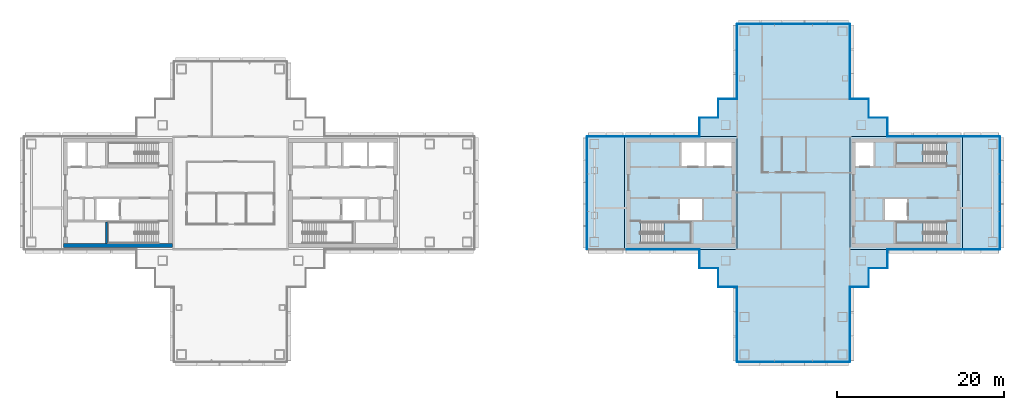
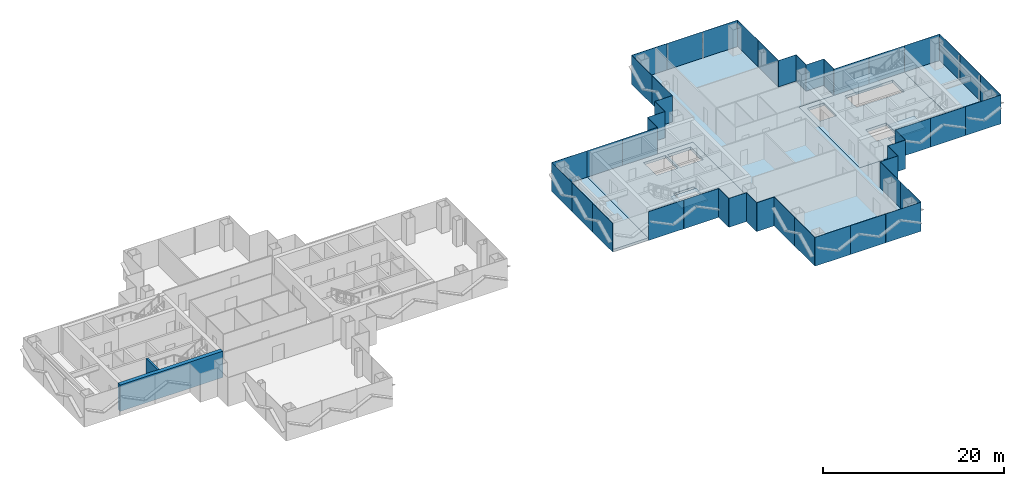
# One storey, part 8 of 16: 47 plates, 8 slabs, 2 walls, 22 elements without a shape of their own.
"""IFC4 building model written with IfcOpenShell, lengths in metres."""

from ifc_helpers import new_model, si_unit, direction, frame, frame_2d, origin, origin_2d, place, context, subcontext, project, spatial, polyline, rectangle, outline, extrude, material, layer, layer_set, type_object, element, aggregate, save


model = new_model("IFC4")

# Units and contexts
model_context = context("Model", 3, precision=1e-05, world=origin(), true_north=direction((0.0, 1.0)))
body_context = subcontext(model_context, "Body", "Model", "MODEL_VIEW")
ifc_project = project(units=[si_unit("LENGTHUNIT", "METRE"), si_unit("AREAUNIT", "SQUARE_METRE"), si_unit("VOLUMEUNIT", "CUBIC_METRE"), si_unit("PLANEANGLEUNIT", "RADIAN"), si_unit("MASSUNIT", "GRAM", prefix="KILO")], contexts=[model_context])

# Site, building, storey
site_placement = place(None, origin())
site = spatial("IfcSite", under=ifc_project, at=site_placement, CompositionType="ELEMENT")
building_placement = place(site_placement, origin())
building = spatial("IfcBuilding", under=site, at=building_placement, Name="Shamsa Quay Exchange Towers", CompositionType="ELEMENT")
storey_placement = place(building_placement, frame((0.0, 0.0, 162.300048828125)))
storey = spatial("IfcBuildingStorey", under=building, at=storey_placement, Name="L38", CompositionType="ELEMENT", Elevation=162.300048828125)

# Slabs
ifc_material_1 = material(Name="Concrete C50/60", Category="concrete")
ifc_layer_1 = layer(ifc_material_1, 0.35009765625)
ifc_layer_set_1 = layer_set([ifc_layer_1], Name="CORE FLOOR 350 C50/60")
slab_type_1 = type_object("IfcSlabType", Name="CORE FLOOR 350 C50/60", PredefinedType="FLOOR", material=ifc_layer_set_1)
slab_1_placement = place(storey_placement, frame((0.0, 0.0, -0.35009765625)))
element("IfcSlab", 1, at=slab_1_placement, inside=storey, type_object=slab_type_1, Name="Core floor T2A", PredefinedType="FLOOR", context=body_context, shape_type="SweptSolid", body=[
    extrude(outline(polyline([(13.5, -6.75), (27.0, -6.75), (27.0, 6.75), (13.5, 6.75), (13.5, -6.75)]), holes=[polyline([(15.400634765625, -6.050048828125), (15.400634765625, -3.5), (21.5, -3.5), (21.5, -6.050048828125), (15.400634765625, -6.050048828125)]), polyline([(20.300048828125, 3.25), (20.300048828125, 6.050048828125), (23.10009765625, 6.050048828125), (23.10009765625, 3.25), (20.300048828125, 3.25)]), polyline([(23.35009765625, 3.25), (23.35009765625, 6.050048828125), (26.300048828125, 6.050048828125), (26.300048828125, 3.25), (23.35009765625, 3.25)]), polyline([(20.14990234375, -3.25), (20.14990234375, -0.75), (22.800048828125, -0.75), (22.800048828125, -3.25), (20.14990234375, -3.25)])]), origin(), (0.0, 0.0, 1.0), 0.35009765625),
])
slab_2_placement = place(storey_placement, frame((0.0, 0.0, -0.35009765625)))
element("IfcSlab", 2, at=slab_2_placement, inside=storey, type_object=slab_type_1, Name="Core floor T2B", PredefinedType="FLOOR", context=body_context, shape_type="SweptSolid", body=[
    extrude(outline(polyline([(54.0, -6.75), (54.0, 6.75), (40.5, 6.75), (40.5, -6.75), (54.0, -6.75)]), holes=[polyline([(52.099365234375, -3.5), (52.099365234375, -6.050048828125), (46.0, -6.050048828125), (46.0, -3.5), (52.099365234375, -3.5)]), polyline([(52.099365234375, 6.050048828125), (52.099365234375, 3.5), (46.0, 3.5), (46.0, 6.050048828125), (52.099365234375, 6.050048828125)]), polyline([(43.35009765625, 3.25), (41.199951171875, 3.25), (41.199951171875, 6.050048828125), (43.35009765625, 6.050048828125), (43.35009765625, 3.25)]), polyline([(47.35009765625, -3.25), (44.699951171875, -3.25), (44.699951171875, -0.75), (47.35009765625, -0.75), (47.35009765625, -3.25)])]), origin(), (0.0, 0.0, 1.0), 0.35009765625),
])

# Stair, slab
ifc_material_2 = material(Name="Concrete C40/50", Category="concrete")
stair_type = type_object("IfcStairType", Name="EXIT STAIR 22 RISERS 177 MM", PredefinedType="HALF_TURN_STAIR", material=ifc_material_2)
stair_1_placement = place(storey_placement, origin())
stair_1 = element("IfcStair", 3, at=stair_1_placement, inside=storey, type_object=stair_type, Name="L38 Exit stair ST4", PredefinedType="HALF_TURN_STAIR")
ifc_layer_2 = layer(ifc_material_2, 0.199951171875)
ifc_layer_set_2 = layer_set([ifc_layer_2], Name="CORE STAIR LANDING")
slab_type_2 = type_object("IfcSlabType", Name="CORE STAIR LANDING", PredefinedType="LANDING", material=ifc_layer_set_2)
slab_3_placement = place(storey_placement, frame((0.0, 0.0, 1.75)))
slab_3 = element("IfcSlab", 4, at=slab_3_placement, type_object=slab_type_2, Name="ST4 landing 1", PredefinedType="LANDING", context=body_context, shape_type="SweptSolid", body=[
    extrude(outline(polyline([(18.199951171875, -6.050048828125), (21.5, -6.050048828125), (21.5, -3.5), (18.199951171875, -3.5), (18.199951171875, -6.050048828125)])), origin(), (0.0, 0.0, 1.0), 0.199951171875),
])
aggregate(stair_1, [slab_3])

stair_2_placement = place(storey_placement, origin())
stair_2 = element("IfcStair", 5, at=stair_2_placement, inside=storey, type_object=stair_type, Name="L38 Exit stair ST5", PredefinedType="HALF_TURN_STAIR")
slab_4_placement = place(storey_placement, frame((0.0, 0.0, 1.75)))
slab_4 = element("IfcSlab", 6, at=slab_4_placement, type_object=slab_type_2, Name="ST5 landing 1", PredefinedType="LANDING", context=body_context, shape_type="SweptSolid", body=[
    extrude(outline(polyline([(49.300048828125, -3.5), (46.0, -3.5), (46.0, -6.050048828125), (49.300048828125, -6.050048828125), (49.300048828125, -3.5)])), origin(), (0.0, 0.0, 1.0), 0.199951171875),
])
aggregate(stair_2, [slab_4])

stair_3_placement = place(storey_placement, origin())
stair_3 = element("IfcStair", 7, at=stair_3_placement, inside=storey, type_object=stair_type, Name="L38 Exit stair ST6", PredefinedType="HALF_TURN_STAIR")
slab_5_placement = place(storey_placement, frame((0.0, 0.0, 1.75)))
slab_5 = element("IfcSlab", 8, at=slab_5_placement, type_object=slab_type_2, Name="ST6 landing 1", PredefinedType="LANDING", context=body_context, shape_type="SweptSolid", body=[
    extrude(outline(polyline([(49.300048828125, 6.050048828125), (46.0, 6.050048828125), (46.0, 3.5), (49.300048828125, 3.5), (49.300048828125, 6.050048828125)])), origin(), (0.0, 0.0, 1.0), 0.199951171875),
])
aggregate(stair_3, [slab_5])

# Curtain wall, plate
ifc_material_3 = material(Name="Aluminium EN AW-6063 T6, black anodised", Category="aluminium")
ifc_layer_3 = layer(ifc_material_3, 0.280029296875)
ifc_layer_set_3 = layer_set([ifc_layer_3], Name="CW-1 UNITISED VISION GLASS")
curtain_wall_type_1 = type_object("IfcCurtainWallType", Name="CW-1 UNITISED VISION GLASS", PredefinedType="NOTDEFINED", material=ifc_layer_set_3)
curtain_wall_1_placement = place(storey_placement, origin())
curtain_wall_1 = element("IfcCurtainWall", 9, at=curtain_wall_1_placement, inside=storey, type_object=curtain_wall_type_1, Name="CW1 T2-FLK-V-W L38", PredefinedType="NOTDEFINED")
ifc_material_4 = material(Name="Glass, laminated, dark tinted", Category="glass")
ifc_layer_4 = layer(ifc_material_4, 0.0400390625)
ifc_layer_set_4 = layer_set([ifc_layer_4], Name="CW-1 VISION GLASS 40")
plate_type_1 = type_object("IfcPlateType", Name="CW-1 VISION GLASS 40", PredefinedType="CURTAIN_PANEL", material=ifc_layer_set_4)
plate_1_placement = place(storey_placement, frame((56.25, -6.77001953125, -0.35009765625)))
plate_1 = element("IfcPlate", 10, at=plate_1_placement, type_object=plate_type_1, Name="CW1 glass panel", PredefinedType="CURTAIN_PANEL", context=body_context, shape_type="SweptSolid", body=[
    extrude(rectangle(XDim=4.5, YDim=0.0400390625, at=origin_2d()), origin(), (0.0, 0.0, 1.0), 3.89990234375),
])
aggregate(curtain_wall_1, [plate_1])

# Curtain wall, plates
curtain_wall_2_placement = place(storey_placement, origin())
curtain_wall_2 = element("IfcCurtainWall", 11, at=curtain_wall_2_placement, inside=storey, type_object=curtain_wall_type_1, Name="CW1 T2-END-V- L38", PredefinedType="NOTDEFINED")
plate_2_placement = place(storey_placement, frame((58.52001953125, -4.50244140625, -0.35009765625), z_axis=(0.0, 0.0, 1.0), x_axis=(0.0, 1.0, 0.0)))
plate_2 = element("IfcPlate", 12, at=plate_2_placement, type_object=plate_type_1, Name="CW1 glass panel", PredefinedType="CURTAIN_PANEL", context=body_context, shape_type="SweptSolid", body=[
    extrude(rectangle(XDim=4.4951171875, YDim=0.0400390625, at=origin_2d()), origin(), (0.0, 0.0, 1.0), 3.89990234375),
])
plate_3_placement = place(storey_placement, frame((58.52001953125, 0.0, -0.35009765625), z_axis=(0.0, 0.0, 1.0), x_axis=(0.0, 1.0, 0.0)))
plate_3 = element("IfcPlate", 13, at=plate_3_placement, type_object=plate_type_1, Name="CW1 glass panel", PredefinedType="CURTAIN_PANEL", context=body_context, shape_type="SweptSolid", body=[
    extrude(rectangle(XDim=4.489990234375, YDim=0.0400390625, at=origin_2d()), origin(), (0.0, 0.0, 1.0), 3.89990234375),
])
plate_4_placement = place(storey_placement, frame((58.52001953125, 4.50244140625, -0.35009765625), z_axis=(0.0, 0.0, 1.0), x_axis=(0.0, 1.0, 0.0)))
plate_4 = element("IfcPlate", 14, at=plate_4_placement, type_object=plate_type_1, Name="CW1 glass panel", PredefinedType="CURTAIN_PANEL", context=body_context, shape_type="SweptSolid", body=[
    extrude(rectangle(XDim=4.4951171875, YDim=0.0400390625, at=origin_2d()), origin(), (0.0, 0.0, 1.0), 3.89990234375),
])
aggregate(curtain_wall_2, [plate_2, plate_3, plate_4])

# Curtain wall, plate
curtain_wall_3_placement = place(storey_placement, origin())
curtain_wall_3 = element("IfcCurtainWall", 15, at=curtain_wall_3_placement, inside=storey, type_object=curtain_wall_type_1, Name="CW1 T2-FLK-V-E L38", PredefinedType="NOTDEFINED")
plate_5_placement = place(storey_placement, frame((56.25, 6.77001953125, -0.35009765625), z_axis=(0.0, 0.0, 1.0), x_axis=(-1.0, 0.0, 0.0)))
plate_5 = element("IfcPlate", 16, at=plate_5_placement, type_object=plate_type_1, Name="CW1 glass panel", PredefinedType="CURTAIN_PANEL", context=body_context, shape_type="SweptSolid", body=[
    extrude(rectangle(XDim=4.5, YDim=0.0400390625, at=origin_2d()), origin(), (0.0, 0.0, 1.0), 3.89990234375),
])
aggregate(curtain_wall_3, [plate_5])

# Curtain wall, plates
curtain_wall_4_placement = place(storey_placement, origin())
curtain_wall_4 = element("IfcCurtainWall", 17, at=curtain_wall_4_placement, inside=storey, type_object=curtain_wall_type_1, Name="CW1 T2-FLK-U+S L38", PredefinedType="NOTDEFINED")
plate_6_placement = place(storey_placement, frame((40.52001953125, 13.52587890625, -0.35009765625), z_axis=(0.0, 0.0, 1.0), x_axis=(0.0, 1.0, 0.0)))
plate_6 = element("IfcPlate", 18, at=plate_6_placement, type_object=plate_type_1, Name="CW1 glass panel", PredefinedType="CURTAIN_PANEL", context=body_context, shape_type="SweptSolid", body=[
    extrude(rectangle(XDim=4.47607421875, YDim=0.0400390625, at=origin_2d()), origin(), (0.0, 0.0, 1.0), 3.89990234375),
])
plate_7_placement = place(storey_placement, frame((40.52001953125, 18.011962890625, -0.35009765625), z_axis=(0.0, 0.0, 1.0), x_axis=(0.0, 1.0, 0.0)))
plate_7 = element("IfcPlate", 19, at=plate_7_placement, type_object=plate_type_1, Name="CW1 glass panel", PredefinedType="CURTAIN_PANEL", context=body_context, shape_type="SweptSolid", body=[
    extrude(rectangle(XDim=4.47607421875, YDim=0.0400390625, at=origin_2d()), origin(), (0.0, 0.0, 1.0), 3.89990234375),
])
aggregate(curtain_wall_4, [plate_6, plate_7])

curtain_wall_5_placement = place(storey_placement, origin())
curtain_wall_5 = element("IfcCurtainWall", 20, at=curtain_wall_5_placement, inside=storey, type_object=curtain_wall_type_1, Name="CW1 T2-END-U+ L38", PredefinedType="NOTDEFINED")
plate_8_placement = place(storey_placement, frame((38.25244140625, 20.27001953125, -0.35009765625), z_axis=(0.0, 0.0, 1.0), x_axis=(-1.0, 0.0, 0.0)))
plate_8 = element("IfcPlate", 21, at=plate_8_placement, type_object=plate_type_1, Name="CW1 glass panel", PredefinedType="CURTAIN_PANEL", context=body_context, shape_type="SweptSolid", body=[
    extrude(rectangle(XDim=4.4951171875, YDim=0.0400390625, at=origin_2d()), origin(), (0.0, 0.0, 1.0), 3.89990234375),
])
plate_9_placement = place(storey_placement, frame((33.75, 20.27001953125, -0.35009765625), z_axis=(0.0, 0.0, 1.0), x_axis=(-1.0, 0.0, 0.0)))
plate_9 = element("IfcPlate", 22, at=plate_9_placement, type_object=plate_type_1, Name="CW1 glass panel", PredefinedType="CURTAIN_PANEL", context=body_context, shape_type="SweptSolid", body=[
    extrude(rectangle(XDim=4.489990234375, YDim=0.0400390625, at=origin_2d()), origin(), (0.0, 0.0, 1.0), 3.89990234375),
])
plate_10_placement = place(storey_placement, frame((29.24755859375, 20.27001953125, -0.35009765625), z_axis=(0.0, 0.0, 1.0), x_axis=(-1.0, 0.0, 0.0)))
plate_10 = element("IfcPlate", 23, at=plate_10_placement, type_object=plate_type_1, Name="CW1 glass panel", PredefinedType="CURTAIN_PANEL", context=body_context, shape_type="SweptSolid", body=[
    extrude(rectangle(XDim=4.4951171875, YDim=0.0400390625, at=origin_2d()), origin(), (0.0, 0.0, 1.0), 3.89990234375),
])
aggregate(curtain_wall_5, [plate_8, plate_9, plate_10])

curtain_wall_6_placement = place(storey_placement, origin())
curtain_wall_6 = element("IfcCurtainWall", 24, at=curtain_wall_6_placement, inside=storey, type_object=curtain_wall_type_1, Name="CW1 T2-FLK-U+N L38", PredefinedType="NOTDEFINED")
plate_11_placement = place(storey_placement, frame((26.97998046875, 18.00244140625, -0.35009765625), z_axis=(0.0, 0.0, 1.0), x_axis=(0.0, -1.0, 0.0)))
plate_11 = element("IfcPlate", 25, at=plate_11_placement, type_object=plate_type_1, Name="CW1 glass panel", PredefinedType="CURTAIN_PANEL", context=body_context, shape_type="SweptSolid", body=[
    extrude(rectangle(XDim=4.4951171875, YDim=0.0400390625, at=origin_2d()), origin(), (0.0, 0.0, 1.0), 3.89990234375),
])
plate_12_placement = place(storey_placement, frame((26.97998046875, 13.49755859375, -0.35009765625), z_axis=(0.0, 0.0, 1.0), x_axis=(0.0, -1.0, 0.0)))
plate_12 = element("IfcPlate", 26, at=plate_12_placement, type_object=plate_type_1, Name="CW1 glass panel", PredefinedType="CURTAIN_PANEL", context=body_context, shape_type="SweptSolid", body=[
    extrude(rectangle(XDim=4.4951171875, YDim=0.0400390625, at=origin_2d()), origin(), (0.0, 0.0, 1.0), 3.89990234375),
])
aggregate(curtain_wall_6, [plate_11, plate_12])

# Curtain wall, plate
curtain_wall_7_placement = place(storey_placement, origin())
curtain_wall_7 = element("IfcCurtainWall", 27, at=curtain_wall_7_placement, inside=storey, type_object=curtain_wall_type_1, Name="CW1 T2-FLK-V+E L38", PredefinedType="NOTDEFINED")
plate_13_placement = place(storey_placement, frame((11.25, 6.77001953125, -0.35009765625), z_axis=(0.0, 0.0, 1.0), x_axis=(-1.0, 0.0, 0.0)))
plate_13 = element("IfcPlate", 28, at=plate_13_placement, type_object=plate_type_1, Name="CW1 glass panel", PredefinedType="CURTAIN_PANEL", context=body_context, shape_type="SweptSolid", body=[
    extrude(rectangle(XDim=4.5, YDim=0.0400390625, at=origin_2d()), origin(), (0.0, 0.0, 1.0), 3.89990234375),
])
aggregate(curtain_wall_7, [plate_13])

# Curtain wall, plates
curtain_wall_8_placement = place(storey_placement, origin())
curtain_wall_8 = element("IfcCurtainWall", 29, at=curtain_wall_8_placement, inside=storey, type_object=curtain_wall_type_1, Name="CW1 T2-END-V+ L38", PredefinedType="NOTDEFINED")
plate_14_placement = place(storey_placement, frame((8.97998046875, 4.50244140625, -0.35009765625), z_axis=(0.0, 0.0, 1.0), x_axis=(0.0, -1.0, 0.0)))
plate_14 = element("IfcPlate", 30, at=plate_14_placement, type_object=plate_type_1, Name="CW1 glass panel", PredefinedType="CURTAIN_PANEL", context=body_context, shape_type="SweptSolid", body=[
    extrude(rectangle(XDim=4.4951171875, YDim=0.0400390625, at=origin_2d()), origin(), (0.0, 0.0, 1.0), 3.89990234375),
])
plate_15_placement = place(storey_placement, frame((8.97998046875, 0.0, -0.35009765625), z_axis=(0.0, 0.0, 1.0), x_axis=(0.0, -1.0, 0.0)))
plate_15 = element("IfcPlate", 31, at=plate_15_placement, type_object=plate_type_1, Name="CW1 glass panel", PredefinedType="CURTAIN_PANEL", context=body_context, shape_type="SweptSolid", body=[
    extrude(rectangle(XDim=4.489990234375, YDim=0.0400390625, at=origin_2d()), origin(), (0.0, 0.0, 1.0), 3.89990234375),
])
plate_16_placement = place(storey_placement, frame((8.97998046875, -4.50244140625, -0.35009765625), z_axis=(0.0, 0.0, 1.0), x_axis=(0.0, -1.0, 0.0)))
plate_16 = element("IfcPlate", 32, at=plate_16_placement, type_object=plate_type_1, Name="CW1 glass panel", PredefinedType="CURTAIN_PANEL", context=body_context, shape_type="SweptSolid", body=[
    extrude(rectangle(XDim=4.4951171875, YDim=0.0400390625, at=origin_2d()), origin(), (0.0, 0.0, 1.0), 3.89990234375),
])
aggregate(curtain_wall_8, [plate_14, plate_15, plate_16])

curtain_wall_9_placement = place(storey_placement, origin())
curtain_wall_9 = element("IfcCurtainWall", 33, at=curtain_wall_9_placement, inside=storey, type_object=curtain_wall_type_1, Name="CW1 T2-FLK-U-N L38", PredefinedType="NOTDEFINED")
plate_17_placement = place(storey_placement, frame((26.97998046875, -13.52587890625, -0.35009765625), z_axis=(0.0, 0.0, 1.0), x_axis=(0.0, -1.0, 0.0)))
plate_17 = element("IfcPlate", 34, at=plate_17_placement, type_object=plate_type_1, Name="CW1 glass panel", PredefinedType="CURTAIN_PANEL", context=body_context, shape_type="SweptSolid", body=[
    extrude(rectangle(XDim=4.47607421875, YDim=0.0400390625, at=origin_2d()), origin(), (0.0, 0.0, 1.0), 3.89990234375),
])
plate_18_placement = place(storey_placement, frame((26.97998046875, -18.011962890625, -0.35009765625), z_axis=(0.0, 0.0, 1.0), x_axis=(0.0, -1.0, 0.0)))
plate_18 = element("IfcPlate", 35, at=plate_18_placement, type_object=plate_type_1, Name="CW1 glass panel", PredefinedType="CURTAIN_PANEL", context=body_context, shape_type="SweptSolid", body=[
    extrude(rectangle(XDim=4.47607421875, YDim=0.0400390625, at=origin_2d()), origin(), (0.0, 0.0, 1.0), 3.89990234375),
])
aggregate(curtain_wall_9, [plate_17, plate_18])

curtain_wall_10_placement = place(storey_placement, origin())
curtain_wall_10 = element("IfcCurtainWall", 36, at=curtain_wall_10_placement, inside=storey, type_object=curtain_wall_type_1, Name="CW1 T2-END-U- L38", PredefinedType="NOTDEFINED")
plate_19_placement = place(storey_placement, frame((29.24755859375, -20.27001953125, -0.35009765625)))
plate_19 = element("IfcPlate", 37, at=plate_19_placement, type_object=plate_type_1, Name="CW1 glass panel", PredefinedType="CURTAIN_PANEL", context=body_context, shape_type="SweptSolid", body=[
    extrude(rectangle(XDim=4.4951171875, YDim=0.0400390625, at=origin_2d()), origin(), (0.0, 0.0, 1.0), 3.89990234375),
])
plate_20_placement = place(storey_placement, frame((33.75, -20.27001953125, -0.35009765625)))
plate_20 = element("IfcPlate", 38, at=plate_20_placement, type_object=plate_type_1, Name="CW1 glass panel", PredefinedType="CURTAIN_PANEL", context=body_context, shape_type="SweptSolid", body=[
    extrude(rectangle(XDim=4.489990234375, YDim=0.0400390625, at=origin_2d()), origin(), (0.0, 0.0, 1.0), 3.89990234375),
])
plate_21_placement = place(storey_placement, frame((38.25244140625, -20.27001953125, -0.35009765625)))
plate_21 = element("IfcPlate", 39, at=plate_21_placement, type_object=plate_type_1, Name="CW1 glass panel", PredefinedType="CURTAIN_PANEL", context=body_context, shape_type="SweptSolid", body=[
    extrude(rectangle(XDim=4.4951171875, YDim=0.0400390625, at=origin_2d()), origin(), (0.0, 0.0, 1.0), 3.89990234375),
])
aggregate(curtain_wall_10, [plate_19, plate_20, plate_21])

curtain_wall_11_placement = place(storey_placement, origin())
curtain_wall_11 = element("IfcCurtainWall", 40, at=curtain_wall_11_placement, inside=storey, type_object=curtain_wall_type_1, Name="CW1 T2-FLK-U-S L38", PredefinedType="NOTDEFINED")
plate_22_placement = place(storey_placement, frame((40.52001953125, -18.00244140625, -0.35009765625), z_axis=(0.0, 0.0, 1.0), x_axis=(0.0, 1.0, 0.0)))
plate_22 = element("IfcPlate", 41, at=plate_22_placement, type_object=plate_type_1, Name="CW1 glass panel", PredefinedType="CURTAIN_PANEL", context=body_context, shape_type="SweptSolid", body=[
    extrude(rectangle(XDim=4.4951171875, YDim=0.0400390625, at=origin_2d()), origin(), (0.0, 0.0, 1.0), 3.89990234375),
])
plate_23_placement = place(storey_placement, frame((40.52001953125, -13.49755859375, -0.35009765625), z_axis=(0.0, 0.0, 1.0), x_axis=(0.0, 1.0, 0.0)))
plate_23 = element("IfcPlate", 42, at=plate_23_placement, type_object=plate_type_1, Name="CW1 glass panel", PredefinedType="CURTAIN_PANEL", context=body_context, shape_type="SweptSolid", body=[
    extrude(rectangle(XDim=4.4951171875, YDim=0.0400390625, at=origin_2d()), origin(), (0.0, 0.0, 1.0), 3.89990234375),
])
aggregate(curtain_wall_11, [plate_22, plate_23])

ifc_layer_5 = layer(ifc_material_3, 0.303955078125)
ifc_layer_set_5 = layer_set([ifc_layer_5], Name="CW-2 UNITISED OPAQUE SPANDREL GLASS")
curtain_wall_type_2 = type_object("IfcCurtainWallType", Name="CW-2 UNITISED OPAQUE SPANDREL GLASS", PredefinedType="NOTDEFINED", material=ifc_layer_set_5)
curtain_wall_12_placement = place(storey_placement, origin())
curtain_wall_12 = element("IfcCurtainWall", 43, at=curtain_wall_12_placement, inside=storey, type_object=curtain_wall_type_2, Name="CW2 T2-FLK-V-W L38", PredefinedType="NOTDEFINED")
ifc_material_5 = material(Name="Glass, laminated, black enamelled opaque", Category="glass")
ifc_layer_6 = layer(ifc_material_5, 0.0439453125)
ifc_layer_set_6 = layer_set([ifc_layer_6], Name="CW-2 SPANDREL GLASS 44")
plate_type_2 = type_object("IfcPlateType", Name="CW-2 SPANDREL GLASS 44", PredefinedType="CURTAIN_PANEL", material=ifc_layer_set_6)
plate_24_placement = place(storey_placement, frame((47.27587890625, -6.77197265625, -0.35009765625)))
plate_24 = element("IfcPlate", 44, at=plate_24_placement, type_object=plate_type_2, Name="CW2 glass panel", PredefinedType="CURTAIN_PANEL", context=body_context, shape_type="SweptSolid", body=[
    extrude(rectangle(XDim=4.47607421875, YDim=0.0439453125, at=origin_2d()), origin(), (0.0, 0.0, 1.0), 3.89990234375),
])
plate_25_placement = place(storey_placement, frame((51.761962890625, -6.77197265625, -0.35009765625)))
plate_25 = element("IfcPlate", 45, at=plate_25_placement, type_object=plate_type_2, Name="CW2 glass panel", PredefinedType="CURTAIN_PANEL", context=body_context, shape_type="SweptSolid", body=[
    extrude(rectangle(XDim=4.47607421875, YDim=0.0439453125, at=origin_2d()), origin(), (0.0, 0.0, 1.0), 3.89990234375),
])
aggregate(curtain_wall_12, [plate_24, plate_25])

curtain_wall_13_placement = place(storey_placement, origin())
curtain_wall_13 = element("IfcCurtainWall", 46, at=curtain_wall_13_placement, inside=storey, type_object=curtain_wall_type_2, Name="CW2 T2-FLK-V-E L38", PredefinedType="NOTDEFINED")
plate_26_placement = place(storey_placement, frame((51.75244140625, 6.77197265625, -0.35009765625), z_axis=(0.0, 0.0, 1.0), x_axis=(-1.0, 0.0, 0.0)))
plate_26 = element("IfcPlate", 47, at=plate_26_placement, type_object=plate_type_2, Name="CW2 glass panel", PredefinedType="CURTAIN_PANEL", context=body_context, shape_type="SweptSolid", body=[
    extrude(rectangle(XDim=4.4951171875, YDim=0.0439453125, at=origin_2d()), origin(), (0.0, 0.0, 1.0), 3.89990234375),
])
plate_27_placement = place(storey_placement, frame((47.24755859375, 6.77197265625, -0.35009765625), z_axis=(0.0, 0.0, 1.0), x_axis=(-1.0, 0.0, 0.0)))
plate_27 = element("IfcPlate", 48, at=plate_27_placement, type_object=plate_type_2, Name="CW2 glass panel", PredefinedType="CURTAIN_PANEL", context=body_context, shape_type="SweptSolid", body=[
    extrude(rectangle(XDim=4.4951171875, YDim=0.0439453125, at=origin_2d()), origin(), (0.0, 0.0, 1.0), 3.89990234375),
])
aggregate(curtain_wall_13, [plate_26, plate_27])

curtain_wall_14_placement = place(storey_placement, origin())
curtain_wall_14 = element("IfcCurtainWall", 49, at=curtain_wall_14_placement, inside=storey, type_object=curtain_wall_type_2, Name="CW2 T2-FLK-V+E L38", PredefinedType="NOTDEFINED")
plate_28_placement = place(storey_placement, frame((20.22412109375, 6.77197265625, -0.35009765625), z_axis=(0.0, 0.0, 1.0), x_axis=(-1.0, 0.0, 0.0)))
plate_28 = element("IfcPlate", 50, at=plate_28_placement, type_object=plate_type_2, Name="CW2 glass panel", PredefinedType="CURTAIN_PANEL", context=body_context, shape_type="SweptSolid", body=[
    extrude(rectangle(XDim=4.47607421875, YDim=0.0439453125, at=origin_2d()), origin(), (0.0, 0.0, 1.0), 3.89990234375),
])
plate_29_placement = place(storey_placement, frame((15.738037109375, 6.77197265625, -0.35009765625), z_axis=(0.0, 0.0, 1.0), x_axis=(-1.0, 0.0, 0.0)))
plate_29 = element("IfcPlate", 51, at=plate_29_placement, type_object=plate_type_2, Name="CW2 glass panel", PredefinedType="CURTAIN_PANEL", context=body_context, shape_type="SweptSolid", body=[
    extrude(rectangle(XDim=4.47607421875, YDim=0.0439453125, at=origin_2d()), origin(), (0.0, 0.0, 1.0), 3.89990234375),
])
aggregate(curtain_wall_14, [plate_28, plate_29])

curtain_wall_15_placement = place(storey_placement, origin())
curtain_wall_15 = element("IfcCurtainWall", 52, at=curtain_wall_15_placement, inside=storey, type_object=curtain_wall_type_2, Name="CW2 T2-FLK-V+W L38", PredefinedType="NOTDEFINED")
plate_30_placement = place(storey_placement, frame((15.74755859375, -6.77197265625, -0.35009765625)))
plate_30 = element("IfcPlate", 53, at=plate_30_placement, type_object=plate_type_2, Name="CW2 glass panel", PredefinedType="CURTAIN_PANEL", context=body_context, shape_type="SweptSolid", body=[
    extrude(rectangle(XDim=4.4951171875, YDim=0.0439453125, at=origin_2d()), origin(), (0.0, 0.0, 1.0), 3.89990234375),
])
plate_31_placement = place(storey_placement, frame((20.25244140625, -6.77197265625, -0.35009765625)))
plate_31 = element("IfcPlate", 54, at=plate_31_placement, type_object=plate_type_2, Name="CW2 glass panel", PredefinedType="CURTAIN_PANEL", context=body_context, shape_type="SweptSolid", body=[
    extrude(rectangle(XDim=4.4951171875, YDim=0.0439453125, at=origin_2d()), origin(), (0.0, 0.0, 1.0), 3.89990234375),
])
aggregate(curtain_wall_15, [plate_30, plate_31])

ifc_layer_7 = layer(ifc_material_3, 0.256103515625)
ifc_layer_set_7 = layer_set([ifc_layer_7], Name="CW-4 POCKET SERRATED GLAZING")
curtain_wall_type_3 = type_object("IfcCurtainWallType", Name="CW-4 POCKET SERRATED GLAZING", PredefinedType="NOTDEFINED", material=ifc_layer_set_7)
curtain_wall_16_placement = place(storey_placement, origin())
curtain_wall_16 = element("IfcCurtainWall", 55, at=curtain_wall_16_placement, inside=storey, type_object=curtain_wall_type_3, Name="CW4 PKWS L38", PredefinedType="NOTDEFINED")
ifc_layer_8 = layer(ifc_material_4, 0.035888671875)
ifc_layer_set_8 = layer_set([ifc_layer_8], Name="CW-4 POCKET GLASS 36")
plate_type_3 = type_object("IfcPlateType", Name="CW-4 POCKET GLASS 36", PredefinedType="CURTAIN_PANEL", material=ifc_layer_set_8)
plate_32_placement = place(storey_placement, frame((43.89404296875, -9.01806640625, -0.35009765625)))
plate_32 = element("IfcPlate", 56, at=plate_32_placement, type_object=plate_type_3, Name="CW4 glass panel", PredefinedType="CURTAIN_PANEL", context=body_context, shape_type="SweptSolid", body=[
    extrude(rectangle(XDim=2.2119140625, YDim=0.035888671875, at=origin_2d()), origin(), (0.0, 0.0, 1.0), 3.89990234375),
])
plate_33_placement = place(storey_placement, frame((45.01806640625, -7.875, -0.35009765625), z_axis=(0.0, 0.0, 1.0), x_axis=(0.0, 1.0, 0.0)))
plate_33 = element("IfcPlate", 57, at=plate_33_placement, type_object=plate_type_3, Name="CW4 glass panel", PredefinedType="CURTAIN_PANEL", context=body_context, shape_type="SweptSolid", body=[
    extrude(rectangle(XDim=2.25, YDim=0.035888671875, at=origin_2d()), origin(), (0.0, 0.0, 1.0), 3.89990234375),
])
plate_34_placement = place(storey_placement, frame((41.64599609375, -11.26806640625, -0.35009765625)))
plate_34 = element("IfcPlate", 58, at=plate_34_placement, type_object=plate_type_3, Name="CW4 glass panel", PredefinedType="CURTAIN_PANEL", context=body_context, shape_type="SweptSolid", body=[
    extrude(rectangle(XDim=2.2080078125, YDim=0.035888671875, at=origin_2d()), origin(), (0.0, 0.0, 1.0), 3.89990234375),
])
plate_35_placement = place(storey_placement, frame((42.76806640625, -10.125, -0.35009765625), z_axis=(0.0, 0.0, 1.0), x_axis=(0.0, 1.0, 0.0)))
plate_35 = element("IfcPlate", 59, at=plate_35_placement, type_object=plate_type_3, Name="CW4 glass panel", PredefinedType="CURTAIN_PANEL", context=body_context, shape_type="SweptSolid", body=[
    extrude(rectangle(XDim=2.25, YDim=0.035888671875, at=origin_2d()), origin(), (0.0, 0.0, 1.0), 3.89990234375),
])
aggregate(curtain_wall_16, [plate_32, plate_33, plate_34, plate_35])

curtain_wall_17_placement = place(storey_placement, origin())
curtain_wall_17 = element("IfcCurtainWall", 60, at=curtain_wall_17_placement, inside=storey, type_object=curtain_wall_type_3, Name="CW4 PKES L38", PredefinedType="NOTDEFINED")
plate_36_placement = place(storey_placement, frame((45.01806640625, 7.89794921875, -0.35009765625), z_axis=(0.0, 0.0, 1.0), x_axis=(0.0, 1.0, 0.0)))
plate_36 = element("IfcPlate", 61, at=plate_36_placement, type_object=plate_type_3, Name="CW4 glass panel", PredefinedType="CURTAIN_PANEL", context=body_context, shape_type="SweptSolid", body=[
    extrude(rectangle(XDim=2.2041015625, YDim=0.035888671875, at=origin_2d()), origin(), (0.0, 0.0, 1.0), 3.89990234375),
])
plate_37_placement = place(storey_placement, frame((43.875, 9.01806640625, -0.35009765625), z_axis=(0.0, 0.0, 1.0), x_axis=(-1.0, 0.0, 0.0)))
plate_37 = element("IfcPlate", 62, at=plate_37_placement, type_object=plate_type_3, Name="CW4 glass panel", PredefinedType="CURTAIN_PANEL", context=body_context, shape_type="SweptSolid", body=[
    extrude(rectangle(XDim=2.25, YDim=0.035888671875, at=origin_2d()), origin(), (0.0, 0.0, 1.0), 3.89990234375),
])
plate_38_placement = place(storey_placement, frame((42.76806640625, 10.14404296875, -0.35009765625), z_axis=(0.0, 0.0, 1.0), x_axis=(0.0, 1.0, 0.0)))
plate_38 = element("IfcPlate", 63, at=plate_38_placement, type_object=plate_type_3, Name="CW4 glass panel", PredefinedType="CURTAIN_PANEL", context=body_context, shape_type="SweptSolid", body=[
    extrude(rectangle(XDim=2.2119140625, YDim=0.035888671875, at=origin_2d()), origin(), (0.0, 0.0, 1.0), 3.89990234375),
])
plate_39_placement = place(storey_placement, frame((41.625, 11.26806640625, -0.35009765625), z_axis=(0.0, 0.0, 1.0), x_axis=(-1.0, 0.0, 0.0)))
plate_39 = element("IfcPlate", 64, at=plate_39_placement, type_object=plate_type_3, Name="CW4 glass panel", PredefinedType="CURTAIN_PANEL", context=body_context, shape_type="SweptSolid", body=[
    extrude(rectangle(XDim=2.25, YDim=0.035888671875, at=origin_2d()), origin(), (0.0, 0.0, 1.0), 3.89990234375),
])
aggregate(curtain_wall_17, [plate_36, plate_37, plate_38, plate_39])

curtain_wall_18_placement = place(storey_placement, origin())
curtain_wall_18 = element("IfcCurtainWall", 65, at=curtain_wall_18_placement, inside=storey, type_object=curtain_wall_type_3, Name="CW4 PKEN L38", PredefinedType="NOTDEFINED")
plate_40_placement = place(storey_placement, frame((25.85400390625, 11.26806640625, -0.35009765625), z_axis=(0.0, 0.0, 1.0), x_axis=(-1.0, 0.0, 0.0)))
plate_40 = element("IfcPlate", 66, at=plate_40_placement, type_object=plate_type_3, Name="CW4 glass panel", PredefinedType="CURTAIN_PANEL", context=body_context, shape_type="SweptSolid", body=[
    extrude(rectangle(XDim=2.2080078125, YDim=0.035888671875, at=origin_2d()), origin(), (0.0, 0.0, 1.0), 3.89990234375),
])
plate_41_placement = place(storey_placement, frame((24.73193359375, 10.125, -0.35009765625), z_axis=(0.0, 0.0, 1.0), x_axis=(0.0, -1.0, 0.0)))
plate_41 = element("IfcPlate", 67, at=plate_41_placement, type_object=plate_type_3, Name="CW4 glass panel", PredefinedType="CURTAIN_PANEL", context=body_context, shape_type="SweptSolid", body=[
    extrude(rectangle(XDim=2.25, YDim=0.035888671875, at=origin_2d()), origin(), (0.0, 0.0, 1.0), 3.89990234375),
])
plate_42_placement = place(storey_placement, frame((23.60595703125, 9.01806640625, -0.35009765625), z_axis=(0.0, 0.0, 1.0), x_axis=(-1.0, 0.0, 0.0)))
plate_42 = element("IfcPlate", 68, at=plate_42_placement, type_object=plate_type_3, Name="CW4 glass panel", PredefinedType="CURTAIN_PANEL", context=body_context, shape_type="SweptSolid", body=[
    extrude(rectangle(XDim=2.2119140625, YDim=0.035888671875, at=origin_2d()), origin(), (0.0, 0.0, 1.0), 3.89990234375),
])
plate_43_placement = place(storey_placement, frame((22.48193359375, 7.875, -0.35009765625), z_axis=(0.0, 0.0, 1.0), x_axis=(0.0, -1.0, 0.0)))
plate_43 = element("IfcPlate", 69, at=plate_43_placement, type_object=plate_type_3, Name="CW4 glass panel", PredefinedType="CURTAIN_PANEL", context=body_context, shape_type="SweptSolid", body=[
    extrude(rectangle(XDim=2.25, YDim=0.035888671875, at=origin_2d()), origin(), (0.0, 0.0, 1.0), 3.89990234375),
])
aggregate(curtain_wall_18, [plate_40, plate_41, plate_42, plate_43])

curtain_wall_19_placement = place(storey_placement, origin())
curtain_wall_19 = element("IfcCurtainWall", 70, at=curtain_wall_19_placement, inside=storey, type_object=curtain_wall_type_3, Name="CW4 PKWN L38", PredefinedType="NOTDEFINED")
plate_44_placement = place(storey_placement, frame((22.48193359375, -7.89794921875, -0.35009765625), z_axis=(0.0, 0.0, 1.0), x_axis=(0.0, -1.0, 0.0)))
plate_44 = element("IfcPlate", 71, at=plate_44_placement, type_object=plate_type_3, Name="CW4 glass panel", PredefinedType="CURTAIN_PANEL", context=body_context, shape_type="SweptSolid", body=[
    extrude(rectangle(XDim=2.2041015625, YDim=0.035888671875, at=origin_2d()), origin(), (0.0, 0.0, 1.0), 3.89990234375),
])
plate_45_placement = place(storey_placement, frame((23.625, -9.01806640625, -0.35009765625)))
plate_45 = element("IfcPlate", 72, at=plate_45_placement, type_object=plate_type_3, Name="CW4 glass panel", PredefinedType="CURTAIN_PANEL", context=body_context, shape_type="SweptSolid", body=[
    extrude(rectangle(XDim=2.25, YDim=0.035888671875, at=origin_2d()), origin(), (0.0, 0.0, 1.0), 3.89990234375),
])
plate_46_placement = place(storey_placement, frame((24.73193359375, -10.14404296875, -0.35009765625), z_axis=(0.0, 0.0, 1.0), x_axis=(0.0, -1.0, 0.0)))
plate_46 = element("IfcPlate", 73, at=plate_46_placement, type_object=plate_type_3, Name="CW4 glass panel", PredefinedType="CURTAIN_PANEL", context=body_context, shape_type="SweptSolid", body=[
    extrude(rectangle(XDim=2.2119140625, YDim=0.035888671875, at=origin_2d()), origin(), (0.0, 0.0, 1.0), 3.89990234375),
])
plate_47_placement = place(storey_placement, frame((25.875, -11.26806640625, -0.35009765625)))
plate_47 = element("IfcPlate", 74, at=plate_47_placement, type_object=plate_type_3, Name="CW4 glass panel", PredefinedType="CURTAIN_PANEL", context=body_context, shape_type="SweptSolid", body=[
    extrude(rectangle(XDim=2.25, YDim=0.035888671875, at=origin_2d()), origin(), (0.0, 0.0, 1.0), 3.89990234375),
])
aggregate(curtain_wall_19, [plate_44, plate_45, plate_46, plate_47])

# Slabs
ifc_layer_9 = layer(ifc_material_2, 0.35009765625)
ifc_layer_set_9 = layer_set([ifc_layer_9], Name="Flat slab 350")
slab_type_3 = type_object("IfcSlabType", Name="Flat slab 350", PredefinedType="FLOOR", material=ifc_layer_set_9)
slab_6_placement = place(storey_placement, frame((0.0, 0.0, -0.35009765625)))
element("IfcSlab", 75, at=slab_6_placement, inside=storey, type_object=slab_type_3, Name="Flat slab T2 L38 4", PredefinedType="FLOOR", context=body_context, shape_type="SweptSolid", body=[
    extrude(outline(polyline([(9.0, -6.75), (13.5, -6.75), (13.5, 6.75), (9.0, 6.75), (9.0, -6.75)])), origin(), (0.0, 0.0, 1.0), 0.35009765625),
])
slab_7_placement = place(storey_placement, frame((0.0, 0.0, -0.35009765625)))
element("IfcSlab", 76, at=slab_7_placement, inside=storey, type_object=slab_type_3, Name="Flat slab T2 L38 5", PredefinedType="FLOOR", context=body_context, shape_type="SweptSolid", body=[
    extrude(outline(polyline([(45.0, -9.0), (45.0, -6.75), (40.5, -6.75), (40.5, 6.75), (45.0, 6.75), (45.0, 9.0), (42.75, 9.0), (42.75, 11.25), (40.5, 11.25), (40.5, 20.25), (27.0, 20.25), (27.0, 11.25), (24.75, 11.25), (24.75, 9.0), (22.5, 9.0), (22.5, 6.75), (27.0, 6.75), (27.0, -6.75), (22.5, -6.75), (22.5, -9.0), (24.75, -9.0), (24.75, -11.25), (27.0, -11.25), (27.0, -20.25), (40.5, -20.25), (40.5, -11.25), (42.75, -11.25), (42.75, -9.0), (45.0, -9.0)])), origin(), (0.0, 0.0, 1.0), 0.35009765625),
])
slab_8_placement = place(storey_placement, frame((0.0, 0.0, -0.35009765625)))
element("IfcSlab", 77, at=slab_8_placement, inside=storey, type_object=slab_type_3, Name="Flat slab T2 L38 6", PredefinedType="FLOOR", context=body_context, shape_type="SweptSolid", body=[
    extrude(outline(polyline([(58.5, 6.75), (54.0, 6.75), (54.0, -6.75), (58.5, -6.75), (58.5, 6.75)])), origin(), (0.0, 0.0, 1.0), 0.35009765625),
])

# Walls
ifc_material_6 = material(Name="Concrete C60/75", Category="concrete")
ifc_layer_10 = layer(ifc_material_6, 0.5)
ifc_layer_set_10 = layer_set([ifc_layer_10], Name="CORE WALL 500 C60/75")
wall_type_1 = type_object("IfcWallType", Name="CORE WALL 500 C60/75", PredefinedType="SHEAR", material=ifc_layer_set_10)
wall_1_placement = place(storey_placement, frame((-40.699951171875, -6.300048828125, 0.0), z_axis=(0.0, 0.0, 1.0), x_axis=(-1.0, 0.0, 0.0)))
element("IfcWall", 78, at=wall_1_placement, inside=storey, type_object=wall_type_1, Name="Core wall T1B-R18-PS", PredefinedType="SHEAR", context=body_context, shape_type="SweptSolid", body=[
    extrude(rectangle(XDim=13.10009765625, YDim=0.5, at=frame_2d((6.550048828125, 0.0))), origin(), (0.0, 0.0, 1.0), 3.550048828125),
])
ifc_layer_11 = layer(ifc_material_1, 0.25)
ifc_layer_set_11 = layer_set([ifc_layer_11], Name="SHAFT WALL 250 C50/60")
wall_type_2 = type_object("IfcWallType", Name="SHAFT WALL 250 C50/60", PredefinedType="SHEAR", material=ifc_layer_set_11)
wall_2_placement = place(storey_placement, frame((-48.625, -6.050048828125, 0.0), z_axis=(0.0, 0.0, 1.0), x_axis=(0.0, 1.0, 0.0)))
element("IfcWall", 79, at=wall_2_placement, inside=storey, type_object=wall_type_2, Name="Shaft wall T1B-R18-STF", PredefinedType="SHEAR", context=body_context, shape_type="SweptSolid", body=[
    extrude(rectangle(XDim=2.550048828125, YDim=0.25, at=frame_2d((1.27490234375, 0.0))), origin(), (0.0, 0.0, 1.0), 3.550048828125),
])

save(model, "model.ifc")
